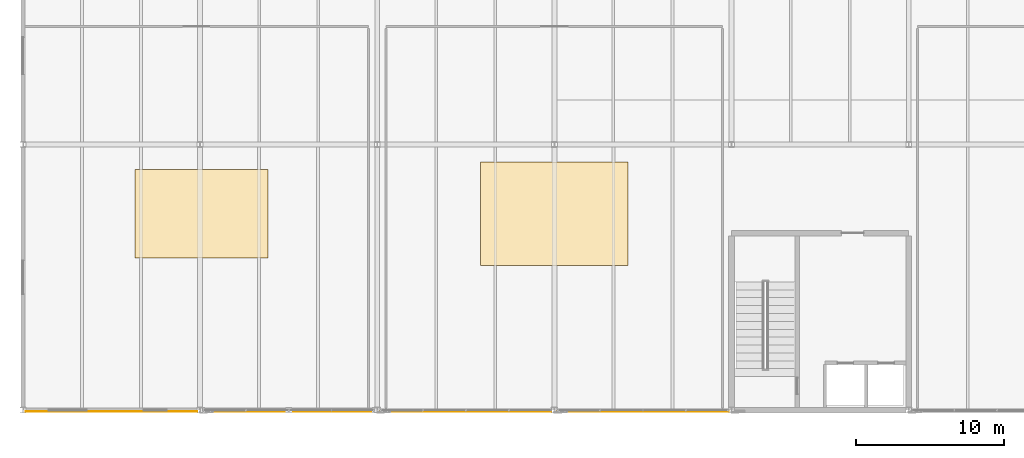
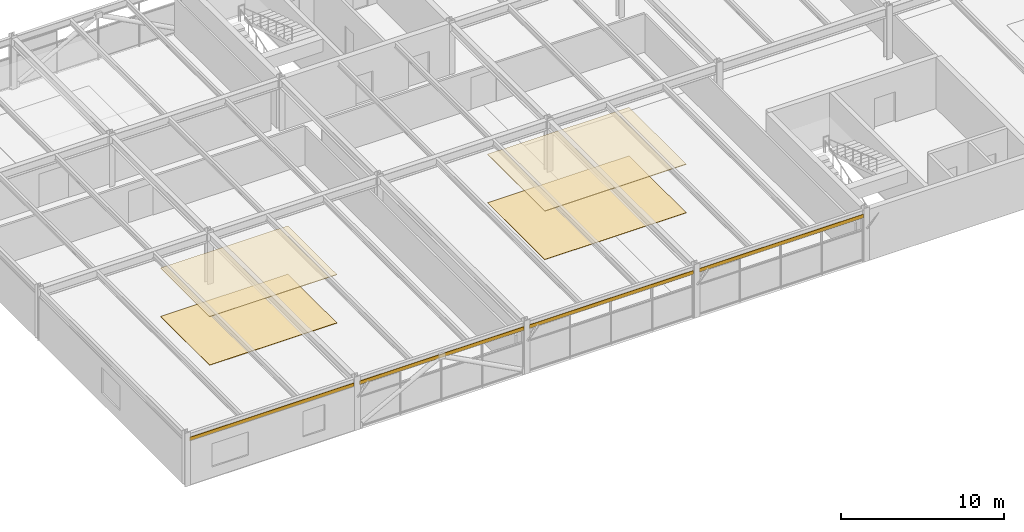
# One storey, part 47 of 51: 4 coverings, 4 shading devices.
"""IFC4 building model written with IfcOpenShell, lengths in metres."""

from ifc_helpers import new_model, si_unit, direction, frame, origin, origin_2d, place, context, subcontext, project, spatial, rectangle, extrude, material, layer, layer_set, type_object, element, save


model = new_model("IFC4")

# Units and contexts
model_context = context("Model", 3, precision=1e-05, world=origin(), true_north=direction((0.0, 1.0)))
body_context = subcontext(model_context, "Body", "Model", "MODEL_VIEW")
ifc_project = project(units=[si_unit("LENGTHUNIT", "METRE"), si_unit("AREAUNIT", "SQUARE_METRE"), si_unit("VOLUMEUNIT", "CUBIC_METRE"), si_unit("PLANEANGLEUNIT", "RADIAN"), si_unit("MASSUNIT", "GRAM", prefix="KILO")], contexts=[model_context])

# Site, building, storey
site_placement = place(None, origin())
site = spatial("IfcSite", under=ifc_project, at=site_placement, CompositionType="ELEMENT")
building_placement = place(site_placement, origin())
building = spatial("IfcBuilding", under=site, at=building_placement, Name="Girod Span Mobility Hub", CompositionType="ELEMENT")
storey_placement = place(building_placement, frame((0.0, 0.0, 41.60009765625)))
storey = spatial("IfcBuildingStorey", under=building, at=storey_placement, Name="L10", CompositionType="ELEMENT", Elevation=41.60009765625)

# Coverings
ifc_material_1 = material(Name="Perforated Mineral-Fibre Acoustic Ceiling Tile", Category="mineral")
ifc_layer_1 = layer(ifc_material_1, 0.050048828125)
ifc_layer_set_1 = layer_set([ifc_layer_1], Name="Perforated Mineral-Fibre Acoustic Ceiling Tile")
covering_type_1 = type_object("IfcCoveringType", Name="COV-CLG-1000X700", PredefinedType="CEILING", material=ifc_layer_set_1)
covering_1_placement = place(storey_placement, frame((60.0, 40.300048828125, 3.60498046875), z_axis=(0.0, 0.0, 1.0), x_axis=(1.0, 0.0, 0.0)))
element("IfcCovering", 1, at=covering_1_placement, inside=storey, type_object=covering_type_1, Name="Conference Room West L10 Acoustic Ceiling", PredefinedType="CEILING", context=body_context, shape_type="SweptSolid", body=[
    extrude(rectangle(XDim=10.0, YDim=7.0, at=origin_2d()), origin(), (0.0, 0.0, 1.0), 0.050048828125),
])
ifc_material_2 = material(Name="Perforated Mineral-Fibre Acoustic Ceiling Tile", Category="mineral")
ifc_layer_2 = layer(ifc_material_2, 0.044921875)
ifc_layer_set_2 = layer_set([ifc_layer_2], Name="Perforated Mineral-Fibre Acoustic Ceiling Tile")
covering_type_2 = type_object("IfcCoveringType", Name="COV-CLG-900X600", PredefinedType="CEILING", material=ifc_layer_set_2)
covering_2_placement = place(storey_placement, frame((36.10009765625, 40.300048828125, 3.60498046875), z_axis=(0.0, 0.0, 1.0), x_axis=(1.0, 0.0, 0.0)))
element("IfcCovering", 2, at=covering_2_placement, inside=storey, type_object=covering_type_2, Name="Office Suite South West L10 Acoustic Ceiling", PredefinedType="CEILING", context=body_context, shape_type="SweptSolid", body=[
    extrude(rectangle(XDim=9.0, YDim=6.0, at=origin_2d()), origin(), (0.0, 0.0, 1.0), 0.044921875),
])
ifc_material_3 = material(Name="Epoxy Terrazzo and Raised Access Flooring", Category="polymer")
ifc_layer_3 = layer(ifc_material_3, 0.02490234375)
ifc_layer_set_3 = layer_set([ifc_layer_3], Name="Epoxy Terrazzo and Raised Access Flooring")
covering_type_3 = type_object("IfcCoveringType", Name="COV-FLR-1000X700", PredefinedType="FLOORING", material=ifc_layer_set_3)
covering_3_placement = place(storey_placement, frame((60.0, 40.300048828125, 0.0), z_axis=(0.0, 0.0, 1.0), x_axis=(1.0, 0.0, 0.0)))
element("IfcCovering", 3, at=covering_3_placement, inside=storey, type_object=covering_type_3, Name="Conference Room West L10 Floor Finish", PredefinedType="FLOORING", context=body_context, shape_type="SweptSolid", body=[
    extrude(rectangle(XDim=10.0, YDim=7.0, at=origin_2d()), origin(), (0.0, 0.0, 1.0), 0.02490234375),
])
ifc_material_4 = material(Name="Epoxy Terrazzo and Raised Access Flooring", Category="polymer")
ifc_layer_4 = layer(ifc_material_4, 0.030029296875)
ifc_layer_set_4 = layer_set([ifc_layer_4], Name="Epoxy Terrazzo and Raised Access Flooring")
covering_type_4 = type_object("IfcCoveringType", Name="COV-FLR-900X600", PredefinedType="FLOORING", material=ifc_layer_set_4)
covering_4_placement = place(storey_placement, frame((36.10009765625, 40.300048828125, 0.0), z_axis=(0.0, 0.0, 1.0), x_axis=(1.0, 0.0, 0.0)))
element("IfcCovering", 4, at=covering_4_placement, inside=storey, type_object=covering_type_4, Name="Office Suite South West L10 Floor Finish", PredefinedType="FLOORING", context=body_context, shape_type="SweptSolid", body=[
    extrude(rectangle(XDim=9.0, YDim=6.0, at=origin_2d()), origin(), (0.0, 0.0, 1.0), 0.030029296875),
])

# Shading devices
ifc_material_5 = material(Name="Aluminium 6063-T6", Category="aluminium")
ifc_layer_5 = layer(ifc_material_5, 0.0380859375)
ifc_layer_set_5 = layer_set([ifc_layer_5], Name="Aluminium 6063-T6")
shading_device_type = type_object("IfcShadingDeviceType", Name="SHD-SHT-11610X260X38", PredefinedType="SHUTTER", material=ifc_layer_set_5)
for number, where, z_axis, x_axis, name in (
    (5, (30.0, 26.919921875, 3.2607421875), (0.0, 0.0, 1.0), (1.0, 0.0, 0.0), "External Solar Shading Blade 3 L10"),
    (6, (42.0, 26.919921875, 3.2607421875), (0.0, 0.0, 1.0), (1.0, 0.0, 0.0), "External Solar Shading Blade 4 L10"),
    (7, (54.0, 26.919921875, 3.2607421875), (0.0, 0.0, 1.0), (1.0, 0.0, 0.0), "External Solar Shading Blade 5 L10"),
    (8, (66.0, 26.919921875, 3.2607421875), (0.0, 0.0, 1.0), (1.0, 0.0, 0.0), "External Solar Shading Blade 6 L10"),
):
    element("IfcShadingDevice", number, at=place(storey_placement, frame(where, z_axis=z_axis, x_axis=x_axis)), inside=storey, type_object=shading_device_type, Name=name, PredefinedType="SHUTTER", context=body_context, shape_type="SweptSolid", body=[
        extrude(rectangle(XDim=11.610107421875, YDim=0.0380859375, at=origin_2d()), origin(), (0.0, 0.0, 1.0), 0.260009765625),
    ])

save(model, "model.ifc")
